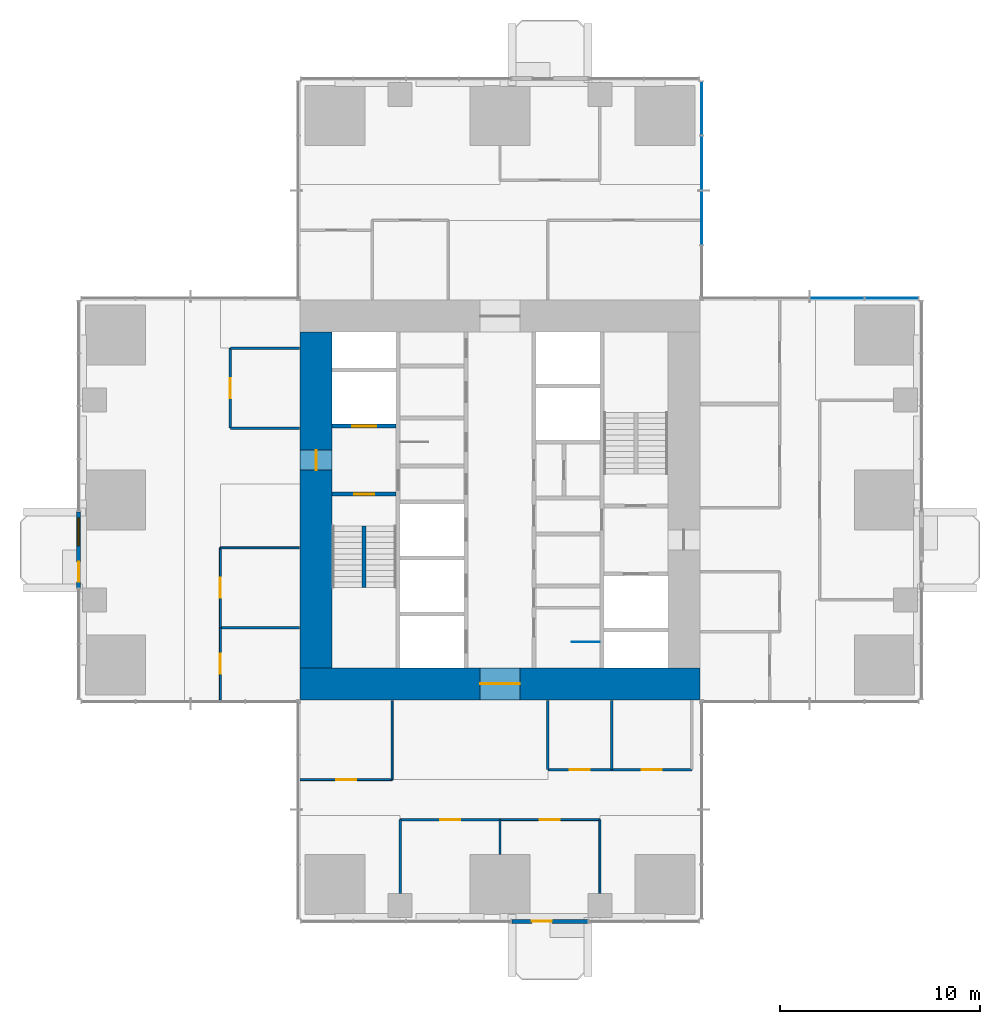
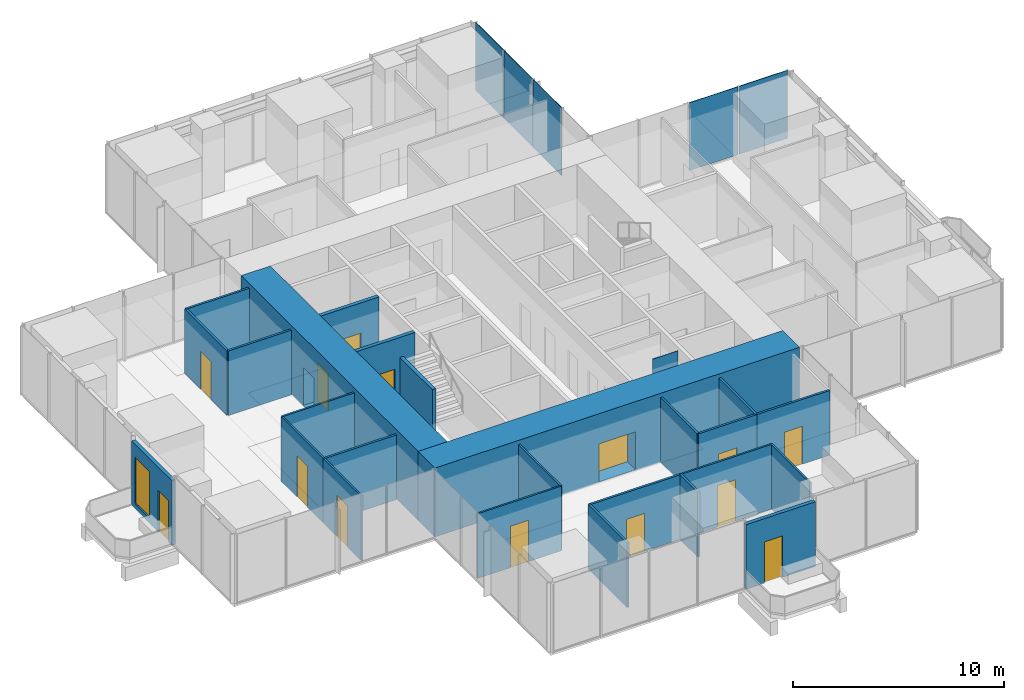
# One storey, part 8 of 13: 26 walls, 14 doors, 5 plates, 1 window, 15 openings, 2 elements without a shape of their own.
"""IFC4 building model written with IfcOpenShell, lengths in metres."""

from ifc_helpers import new_model, si_unit, direction, frame, frame_2d, origin, origin_2d, place, context, subcontext, project, spatial, rectangle, extrude, material, layer, layer_set, type_object, element, fill, aggregate, save


model = new_model("IFC4")

# Units and contexts
model_context = context("Model", 3, precision=1e-05, world=origin(), true_north=direction((0.0, 1.0)))
body_context = subcontext(model_context, "Body", "Model", "MODEL_VIEW")
ifc_project = project(units=[si_unit("LENGTHUNIT", "METRE"), si_unit("AREAUNIT", "SQUARE_METRE"), si_unit("VOLUMEUNIT", "CUBIC_METRE"), si_unit("PLANEANGLEUNIT", "RADIAN"), si_unit("MASSUNIT", "GRAM", prefix="KILO")], contexts=[model_context])

# Site, building, storey
site_placement = place(None, origin())
site = spatial("IfcSite", under=ifc_project, at=site_placement, CompositionType="ELEMENT")
building_placement = place(site_placement, origin())
building = spatial("IfcBuilding", under=site, at=building_placement, Name="Svetlomir Tower", CompositionType="ELEMENT")
storey_placement = place(building_placement, frame((0.0, 0.0, 120.5)))
storey = spatial("IfcBuildingStorey", under=building, at=storey_placement, Name="L28", CompositionType="ELEMENT", Elevation=120.5)

# Curtain wall, plates
ifc_material_1 = material(Name="Bronze anodised aluminium curtain wall", Category="aluminium")
curtain_wall_type = type_object("IfcCurtainWallType", Name="CURTAIN WALL CW1 TOWER OFFICE", PredefinedType="NOTDEFINED", material=ifc_material_1)
curtain_wall_1_placement = place(storey_placement, origin())
curtain_wall_1 = element("IfcCurtainWall", 1, at=curtain_wall_1_placement, inside=storey, type_object=curtain_wall_type, Name="Curtain wall CW1 L28", PredefinedType="NOTDEFINED")
ifc_material_2 = material(Name="Tinted double glazed unit", Category="glass")
ifc_layer_1 = layer(ifc_material_2, 0.031982421875)
ifc_layer_set_1 = layer_set([ifc_layer_1], Name="Tinted double glazed unit")
plate_type = type_object("IfcPlateType", Name="CW1 GLAZED PANEL 32", PredefinedType="CURTAIN_PANEL", material=ifc_layer_set_1)
plate_1_placement = place(storey_placement, frame((40.608642578125, 31.10009765625, 0.06494140625), z_axis=(0.0, 0.0, 1.0), x_axis=(-1.0, 0.0, 0.0)))
plate_1 = element("IfcPlate", 2, at=plate_1_placement, type_object=plate_type, Name="CW1 panel 1.1", PredefinedType="CURTAIN_PANEL", context=body_context, shape_type="SweptSolid", body=[
    extrude(rectangle(XDim=2.652587890625, YDim=0.031982421875, at=origin_2d()), origin(), (0.0, 0.0, 1.0), 3.93505859375),
])
plate_2_placement = place(storey_placement, frame((37.875, 31.10009765625, 0.06494140625), z_axis=(0.0, 0.0, 1.0), x_axis=(-1.0, 0.0, 0.0)))
plate_2 = element("IfcPlate", 3, at=plate_2_placement, type_object=plate_type, Name="CW1 panel 2.1", PredefinedType="CURTAIN_PANEL", context=body_context, shape_type="SweptSolid", body=[
    extrude(rectangle(XDim=2.68505859375, YDim=0.031982421875, at=origin_2d()), origin(), (0.0, 0.0, 1.0), 3.93505859375),
])
aggregate(curtain_wall_1, [plate_1, plate_2])

curtain_wall_2_placement = place(storey_placement, origin())
curtain_wall_2 = element("IfcCurtainWall", 4, at=curtain_wall_2_placement, inside=storey, type_object=curtain_wall_type, Name="Curtain wall CW1 L28", PredefinedType="NOTDEFINED")
plate_3_placement = place(storey_placement, frame((31.10009765625, 35.125, 0.06494140625), z_axis=(0.0, 0.0, 1.0), x_axis=(0.0, 1.0, 0.0)))
plate_3 = element("IfcPlate", 5, at=plate_3_placement, type_object=plate_type, Name="CW1 panel 2.1", PredefinedType="CURTAIN_PANEL", context=body_context, shape_type="SweptSolid", body=[
    extrude(rectangle(XDim=2.68505859375, YDim=0.031982421875, at=origin_2d()), origin(), (0.0, 0.0, 1.0), 3.93505859375),
])
plate_4_placement = place(storey_placement, frame((31.10009765625, 37.875, 0.06494140625), z_axis=(0.0, 0.0, 1.0), x_axis=(0.0, 1.0, 0.0)))
plate_4 = element("IfcPlate", 6, at=plate_4_placement, type_object=plate_type, Name="CW1 panel 3.1", PredefinedType="CURTAIN_PANEL", context=body_context, shape_type="SweptSolid", body=[
    extrude(rectangle(XDim=2.68505859375, YDim=0.031982421875, at=origin_2d()), origin(), (0.0, 0.0, 1.0), 3.93505859375),
])
plate_5_placement = place(storey_placement, frame((31.10009765625, 40.608642578125, 0.06494140625), z_axis=(0.0, 0.0, 1.0), x_axis=(0.0, 1.0, 0.0)))
plate_5 = element("IfcPlate", 7, at=plate_5_placement, type_object=plate_type, Name="CW1 panel 4.1", PredefinedType="CURTAIN_PANEL", context=body_context, shape_type="SweptSolid", body=[
    extrude(rectangle(XDim=2.652587890625, YDim=0.031982421875, at=origin_2d()), origin(), (0.0, 0.0, 1.0), 3.93505859375),
])
aggregate(curtain_wall_2, [plate_3, plate_4, plate_5])

# Wall, opening, door
ifc_material_3 = material(Name="Bronze anodised aluminium glazed screen", Category="aluminium")
ifc_layer_2 = layer(ifc_material_3, 0.199951171875)
ifc_layer_set_2 = layer_set([ifc_layer_2], Name="Bronze anodised aluminium glazed screen")
wall_type_1 = type_object("IfcWallType", Name="BALCONY SCREEN WALL 200", PredefinedType="USERDEFINED", material=ifc_layer_set_2)
wall_1_placement = place(storey_placement, frame((21.60009765625, -0.10009765625, 0.0), z_axis=(0.0, 0.0, 1.0), x_axis=(1.0, 0.0, 0.0)))
wall_1 = element("IfcWall", 8, at=wall_1_placement, inside=storey, type_object=wall_type_1, Name="Balcony screen S", ObjectType="GLAZED SCREEN", PredefinedType="USERDEFINED", context=body_context, shape_type="SweptSolid", body=[
    extrude(rectangle(XDim=3.7998046875, YDim=0.199951171875, at=frame_2d((1.89990234375, 0.0))), origin(), (0.0, 0.0, 1.0), 3.75),
])
opening_1_placement = place(wall_1_placement, frame((1.0, 0.0, 0.0)))
opening_1 = element("IfcOpeningElement", 9, at=opening_1_placement, cuts=wall_1, Name="Opening BD", PredefinedType="OPENING", context=body_context, shape_type="SweptSolid", body=[
    extrude(rectangle(XDim=1.0, YDim=2.39990234375, at=frame_2d((0.5, 1.199951171875))), frame((0.0, 0.10986328125, 0.0), z_axis=(0.0, -1.0, 0.0), x_axis=(1.0, 0.0, 0.0)), (0.0, 0.0, 1.0), 0.219970703125),
])
ifc_material_4 = material(Name="Bronze anodised aluminium glazed door", Category="aluminium")
door_type_1 = type_object("IfcDoorType", Name="BALCONY DOOR BD 1000x2400", OperationType="SINGLE_SWING_LEFT", PredefinedType="DOOR", material=ifc_material_4)
door_1_placement = place(opening_1_placement, origin())
door_1 = element("IfcDoor", 10, at=door_1_placement, inside=storey, type_object=door_type_1, Name="Balcony screen S door", OperationType="SINGLE_SWING_LEFT", OverallHeight=2.39990234375, OverallWidth=1.0, PredefinedType="DOOR", context=body_context, shape_type="SweptSolid", body=[
    extrude(rectangle(XDim=1.0, YDim=2.39990234375, at=frame_2d((0.5, 1.199951171875))), frame((0.0, 0.02490234375, 0.0), z_axis=(0.0, -1.0, 0.0), x_axis=(1.0, 0.0, 0.0)), (0.0, 0.0, 1.0), 0.050048828125),
])
fill(opening_1, door_1)

# Wall, openings, door, window
wall_2_placement = place(storey_placement, frame((-0.10009765625, 20.39990234375, 0.0), z_axis=(0.0, 0.0, 1.0), x_axis=(0.0, -1.0, 0.0)))
wall_2 = element("IfcWall", 11, at=wall_2_placement, inside=storey, type_object=wall_type_1, Name="Balcony screen W", ObjectType="GLAZED SCREEN", PredefinedType="USERDEFINED", context=body_context, shape_type="SweptSolid", body=[
    extrude(rectangle(XDim=3.7998046875, YDim=0.199951171875, at=frame_2d((1.89990234375, 0.0))), origin(), (0.0, 0.0, 1.0), 3.75),
])
opening_2_placement = place(wall_2_placement, frame((2.5, 0.0, 0.0)))
opening_2 = element("IfcOpeningElement", 12, at=opening_2_placement, cuts=wall_2, Name="Opening BD", PredefinedType="OPENING", context=body_context, shape_type="SweptSolid", body=[
    extrude(rectangle(XDim=1.0, YDim=2.39990234375, at=frame_2d((0.5, 1.199951171875))), frame((0.0, 0.10986328125, 0.0), z_axis=(0.0, -1.0, 0.0), x_axis=(1.0, 0.0, 0.0)), (0.0, 0.0, 1.0), 0.219970703125),
])
opening_3_placement = place(wall_2_placement, frame((0.300048828125, 0.0, 0.300048828125)))
opening_3 = element("IfcOpeningElement", 13, at=opening_3_placement, cuts=wall_2, Name="Opening WS2", PredefinedType="OPENING", context=body_context, shape_type="SweptSolid", body=[
    extrude(rectangle(XDim=1.39990234375, YDim=2.699951171875, at=frame_2d((0.699951171875, 1.35009765625))), frame((0.0, 0.10986328125, 0.0), z_axis=(0.0, -1.0, 0.0), x_axis=(1.0, 0.0, 0.0)), (0.0, 0.0, 1.0), 0.219970703125),
])
door_2_placement = place(opening_2_placement, origin())
door_2 = element("IfcDoor", 14, at=door_2_placement, inside=storey, type_object=door_type_1, Name="Balcony screen W door", OperationType="SINGLE_SWING_LEFT", OverallHeight=2.39990234375, OverallWidth=1.0, PredefinedType="DOOR", context=body_context, shape_type="SweptSolid", body=[
    extrude(rectangle(XDim=1.0, YDim=2.39990234375, at=frame_2d((0.5, 1.199951171875))), frame((0.0, 0.02490234375, 0.0), z_axis=(0.0, -1.0, 0.0), x_axis=(1.0, 0.0, 0.0)), (0.0, 0.0, 1.0), 0.050048828125),
])
fill(opening_2, door_2)
ifc_material_5 = material(Name="Bronze anodised aluminium window", Category="aluminium")
window_type = type_object("IfcWindowType", Name="SCREEN WINDOW WS2 1400x2700", PartitioningType="SINGLE_PANEL", PredefinedType="WINDOW", material=ifc_material_5)
window_placement = place(opening_3_placement, origin())
window = element("IfcWindow", 15, at=window_placement, inside=storey, type_object=window_type, Name="Balcony screen W window 1", OverallHeight=2.699951171875, OverallWidth=1.39990234375, PartitioningType="SINGLE_PANEL", PredefinedType="WINDOW", context=body_context, shape_type="SweptSolid", body=[
    extrude(rectangle(XDim=1.39990234375, YDim=2.699951171875, at=frame_2d((0.699951171875, 1.35009765625))), frame((0.0, 0.030029296875, 0.0), z_axis=(0.0, -1.0, 0.0), x_axis=(1.0, 0.0, 0.0)), (0.0, 0.0, 1.0), 0.06005859375),
])
fill(opening_3, window)

# Wall, opening, door
ifc_material_6 = material(Name="Concrete C60/75", Category="concrete")
ifc_layer_3 = layer(ifc_material_6, 0.199951171875)
ifc_layer_set_3 = layer_set([ifc_layer_3], Name="Concrete C60/75")
wall_type_2 = type_object("IfcWallType", Name="CORE INNER WALL 200", PredefinedType="SHEAR", material=ifc_layer_set_3)
wall_3_placement = place(storey_placement, frame((12.60009765625, 21.300048828125, -0.050048828125), z_axis=(0.0, 0.0, 1.0), x_axis=(1.0, 0.0, 0.0)))
wall_3 = element("IfcWall", 16, at=wall_3_placement, inside=storey, type_object=wall_type_2, Name="Core inner wall 12.6-15.8/21.3 L28", PredefinedType="SHEAR", context=body_context, shape_type="SweptSolid", body=[
    extrude(rectangle(XDim=3.199951171875, YDim=0.199951171875, at=frame_2d((1.60009765625, 0.0))), origin(), (0.0, 0.0, 1.0), 4.0),
])
opening_4_placement = place(wall_3_placement, frame((1.10009765625, 0.0, 0.050048828125)))
opening_4 = element("IfcOpeningElement", 17, at=opening_4_placement, cuts=wall_3, Name="Opening DF", PredefinedType="OPENING", context=body_context, shape_type="SweptSolid", body=[
    extrude(rectangle(XDim=1.0, YDim=2.199951171875, at=frame_2d((0.5, 1.10009765625))), frame((0.0, 0.10986328125, 0.0), z_axis=(0.0, -1.0, 0.0), x_axis=(1.0, 0.0, 0.0)), (0.0, 0.0, 1.0), 0.219970703125),
])
ifc_material_7 = material(Name="Steel fire door", Category="steel")
door_type_2 = type_object("IfcDoorType", Name="DOOR DF 1000x2200", OperationType="SINGLE_SWING_LEFT", PredefinedType="DOOR", material=ifc_material_7)
door_3_placement = place(opening_4_placement, origin())
door_3 = element("IfcDoor", 18, at=door_3_placement, inside=storey, type_object=door_type_2, Name="Stair S1 door L28", OperationType="SINGLE_SWING_RIGHT", OverallHeight=2.199951171875, OverallWidth=1.0, PredefinedType="DOOR", context=body_context, shape_type="SweptSolid", body=[
    extrude(rectangle(XDim=1.0, YDim=2.199951171875, at=frame_2d((0.5, 1.10009765625))), frame((0.0, 0.02490234375, 0.0), z_axis=(0.0, -1.0, 0.0), x_axis=(1.0, 0.0, 0.0)), (0.0, 0.0, 1.0), 0.050048828125),
])
fill(opening_4, door_3)

wall_4_placement = place(storey_placement, frame((12.60009765625, 24.699951171875, -0.050048828125), z_axis=(0.0, 0.0, 1.0), x_axis=(1.0, 0.0, 0.0)))
wall_4 = element("IfcWall", 19, at=wall_4_placement, inside=storey, type_object=wall_type_2, Name="Core inner wall 12.6-15.8/24.7 L28", PredefinedType="SHEAR", context=body_context, shape_type="SweptSolid", body=[
    extrude(rectangle(XDim=3.199951171875, YDim=0.199951171875, at=frame_2d((1.60009765625, 0.0))), origin(), (0.0, 0.0, 1.0), 4.0),
])
opening_5_placement = place(wall_4_placement, frame((1.0, 0.0, 0.050048828125)))
opening_5 = element("IfcOpeningElement", 20, at=opening_5_placement, cuts=wall_4, Name="Opening LD3", PredefinedType="OPENING", context=body_context, shape_type="SweptSolid", body=[
    extrude(rectangle(XDim=1.199951171875, YDim=2.199951171875, at=frame_2d((0.60009765625, 1.10009765625))), frame((0.0, 0.10986328125, 0.0), z_axis=(0.0, -1.0, 0.0), x_axis=(1.0, 0.0, 0.0)), (0.0, 0.0, 1.0), 0.219970703125),
])
ifc_material_8 = material(Name="Stainless steel fire-rated landing door", Category="steel")
door_type_3 = type_object("IfcDoorType", Name="FIREFIGHTING LIFT LANDING DOOR LD3 1200x2200", OperationType="DOUBLE_DOOR_SLIDING", PredefinedType="DOOR", material=ifc_material_8)
door_4_placement = place(opening_5_placement, origin())
door_4 = element("IfcDoor", 21, at=door_4_placement, inside=storey, type_object=door_type_3, Name="Landing door lift FL1 L28", OperationType="DOUBLE_DOOR_SLIDING", OverallHeight=2.199951171875, OverallWidth=1.199951171875, PredefinedType="DOOR", context=body_context, shape_type="SweptSolid", body=[
    extrude(rectangle(XDim=1.199951171875, YDim=2.199951171875, at=frame_2d((0.60009765625, 1.10009765625))), frame((0.0, 0.02490234375, 0.0), z_axis=(0.0, -1.0, 0.0), x_axis=(1.0, 0.0, 0.0)), (0.0, 0.0, 1.0), 0.050048828125),
])
fill(opening_5, door_4)

ifc_material_9 = material(Name="Concrete C60/75", Category="concrete")
ifc_layer_4 = layer(ifc_material_9, 1.60009765625)
ifc_layer_set_4 = layer_set([ifc_layer_4], Name="Concrete C60/75")
wall_type_3 = type_object("IfcWallType", Name="CORE WALL 1600", PredefinedType="SHEAR", material=ifc_layer_set_4)
wall_5_placement = place(storey_placement, frame((11.0, 11.800048828125, -0.050048828125), z_axis=(0.0, 0.0, 1.0), x_axis=(1.0, 0.0, 0.0)))
wall_5 = element("IfcWall", 22, at=wall_5_placement, inside=storey, type_object=wall_type_3, Name="Core wall south L28", PredefinedType="SHEAR", context=body_context, shape_type="SweptSolid", body=[
    extrude(rectangle(XDim=20.0, YDim=1.60009765625, at=frame_2d((10.0, 0.0))), origin(), (0.0, 0.0, 1.0), 4.0),
])
opening_6_placement = place(wall_5_placement, frame((9.0, 0.0, 0.050048828125)))
opening_6 = element("IfcOpeningElement", 23, at=opening_6_placement, cuts=wall_5, Name="Opening DL", PredefinedType="OPENING", context=body_context, shape_type="SweptSolid", body=[
    extrude(rectangle(XDim=2.0, YDim=2.199951171875, at=frame_2d((1.0, 1.10009765625))), frame((0.0, 0.81005859375, 0.0), z_axis=(0.0, -1.0, 0.0), x_axis=(1.0, 0.0, 0.0)), (0.0, 0.0, 1.0), 1.6201171875),
])
ifc_material_10 = material(Name="Steel fire door", Category="steel")
door_type_4 = type_object("IfcDoorType", Name="DOOR DL 2000x2200", OperationType="DOUBLE_DOOR_SINGLE_SWING", PredefinedType="DOOR", material=ifc_material_10)
door_5_placement = place(opening_6_placement, origin())
door_5 = element("IfcDoor", 24, at=door_5_placement, inside=storey, type_object=door_type_4, Name="Lift lobby south door L28", OperationType="DOUBLE_DOOR_SINGLE_SWING", OverallHeight=2.199951171875, OverallWidth=2.0, PredefinedType="DOOR", context=body_context, shape_type="SweptSolid", body=[
    extrude(rectangle(XDim=2.0, YDim=2.199951171875, at=frame_2d((1.0, 1.10009765625))), frame((0.0, 0.02490234375, 0.0), z_axis=(0.0, -1.0, 0.0), x_axis=(1.0, 0.0, 0.0)), (0.0, 0.0, 1.0), 0.050048828125),
])
fill(opening_6, door_5)

wall_6_placement = place(storey_placement, frame((11.800048828125, 12.60009765625, -0.050048828125), z_axis=(0.0, 0.0, 1.0), x_axis=(0.0, 1.0, 0.0)))
wall_6 = element("IfcWall", 25, at=wall_6_placement, inside=storey, type_object=wall_type_3, Name="Core wall west L28", PredefinedType="SHEAR", context=body_context, shape_type="SweptSolid", body=[
    extrude(rectangle(XDim=16.7998046875, YDim=1.60009765625, at=frame_2d((8.39990234375, 0.0))), origin(), (0.0, 0.0, 1.0), 4.0),
])
opening_7_placement = place(wall_6_placement, frame((9.89990234375, 0.0, 0.050048828125)))
opening_7 = element("IfcOpeningElement", 26, at=opening_7_placement, cuts=wall_6, Name="Opening DF", PredefinedType="OPENING", context=body_context, shape_type="SweptSolid", body=[
    extrude(rectangle(XDim=1.0, YDim=2.199951171875, at=frame_2d((0.5, 1.10009765625))), frame((0.0, 0.81005859375, 0.0), z_axis=(0.0, -1.0, 0.0), x_axis=(1.0, 0.0, 0.0)), (0.0, 0.0, 1.0), 1.6201171875),
])
door_6_placement = place(opening_7_placement, origin())
door_6 = element("IfcDoor", 27, at=door_6_placement, inside=storey, type_object=door_type_2, Name="Firefighting lobby west door L28", OperationType="SINGLE_SWING_RIGHT", OverallHeight=2.199951171875, OverallWidth=1.0, PredefinedType="DOOR", context=body_context, shape_type="SweptSolid", body=[
    extrude(rectangle(XDim=1.0, YDim=2.199951171875, at=frame_2d((0.5, 1.10009765625))), frame((0.0, 0.02490234375, 0.0), z_axis=(0.0, -1.0, 0.0), x_axis=(1.0, 0.0, 0.0)), (0.0, 0.0, 1.0), 0.050048828125),
])
fill(opening_7, door_6)

ifc_material_11 = material(Name="Framed laminated glass partition", Category="glass")
ifc_layer_5 = layer(ifc_material_11, 0.10009765625)
ifc_layer_set_5 = layer_set([ifc_layer_5], Name="Framed laminated glass partition")
wall_type_4 = type_object("IfcWallType", Name="GLAZED PARTITION 100", PredefinedType="PARTITIONING", material=ifc_layer_set_5)
wall_7_placement = place(storey_placement, frame((7.0, 11.0, 0.0), z_axis=(0.0, 0.0, 1.0), x_axis=(0.0, 1.0, 0.0)))
wall_7 = element("IfcWall", 28, at=wall_7_placement, inside=storey, type_object=wall_type_4, Name="Glazed partition L28", PredefinedType="PARTITIONING", context=body_context, shape_type="SweptSolid", body=[
    extrude(rectangle(XDim=3.60009765625, YDim=0.10009765625, at=frame_2d((1.800048828125, 0.0))), origin(), (0.0, 0.0, 1.0), 3.75),
])
opening_8_placement = place(wall_7_placement, frame((1.300048828125, 0.0, 0.0)))
opening_8 = element("IfcOpeningElement", 29, at=opening_8_placement, cuts=wall_7, Name="Opening DG", PredefinedType="OPENING", context=body_context, shape_type="SweptSolid", body=[
    extrude(rectangle(XDim=1.0, YDim=2.39990234375, at=frame_2d((0.5, 1.199951171875))), frame((0.0, 0.06005859375, 0.0), z_axis=(0.0, -1.0, 0.0), x_axis=(1.0, 0.0, 0.0)), (0.0, 0.0, 1.0), 0.1201171875),
])
ifc_material_12 = material(Name="Framed laminated glass door", Category="glass")
door_type_5 = type_object("IfcDoorType", Name="GLAZED DOOR DG 1000x2400", OperationType="SINGLE_SWING_LEFT", PredefinedType="DOOR", material=ifc_material_12)
door_7_placement = place(opening_8_placement, origin())
door_7 = element("IfcDoor", 30, at=door_7_placement, inside=storey, type_object=door_type_5, Name="Deal room, 4 seats door L28", OperationType="SINGLE_SWING_RIGHT", OverallHeight=2.39990234375, OverallWidth=1.0, PredefinedType="DOOR", context=body_context, shape_type="SweptSolid", body=[
    extrude(rectangle(XDim=1.0, YDim=2.39990234375, at=frame_2d((0.5, 1.199951171875))), frame((0.0, 0.02490234375, 0.0), z_axis=(0.0, -1.0, 0.0), x_axis=(1.0, 0.0, 0.0)), (0.0, 0.0, 1.0), 0.050048828125),
])
fill(opening_8, door_7)

wall_8_placement = place(storey_placement, frame((7.0, 14.60009765625, 0.0), z_axis=(0.0, 0.0, 1.0), x_axis=(0.0, 1.0, 0.0)))
wall_8 = element("IfcWall", 31, at=wall_8_placement, inside=storey, type_object=wall_type_4, Name="Glazed partition L28", PredefinedType="PARTITIONING", context=body_context, shape_type="SweptSolid", body=[
    extrude(rectangle(XDim=4.0, YDim=0.10009765625, at=frame_2d((2.0, 0.0))), origin(), (0.0, 0.0, 1.0), 3.75),
])
opening_9_placement = place(wall_8_placement, frame((1.5, 0.0, 0.0)))
opening_9 = element("IfcOpeningElement", 32, at=opening_9_placement, cuts=wall_8, Name="Opening DG", PredefinedType="OPENING", context=body_context, shape_type="SweptSolid", body=[
    extrude(rectangle(XDim=1.0, YDim=2.39990234375, at=frame_2d((0.5, 1.199951171875))), frame((0.0, 0.06005859375, 0.0), z_axis=(0.0, -1.0, 0.0), x_axis=(1.0, 0.0, 0.0)), (0.0, 0.0, 1.0), 0.1201171875),
])
door_8_placement = place(opening_9_placement, origin())
door_8 = element("IfcDoor", 33, at=door_8_placement, inside=storey, type_object=door_type_5, Name="Phone rooms door L28", OperationType="SINGLE_SWING_RIGHT", OverallHeight=2.39990234375, OverallWidth=1.0, PredefinedType="DOOR", context=body_context, shape_type="SweptSolid", body=[
    extrude(rectangle(XDim=1.0, YDim=2.39990234375, at=frame_2d((0.5, 1.199951171875))), frame((0.0, 0.02490234375, 0.0), z_axis=(0.0, -1.0, 0.0), x_axis=(1.0, 0.0, 0.0)), (0.0, 0.0, 1.0), 0.050048828125),
])
fill(opening_9, door_8)

# Wall
wall_9_placement = place(storey_placement, frame((7.0, 18.60009765625, 0.0), z_axis=(0.0, 0.0, 1.0), x_axis=(1.0, 0.0, 0.0)))
element("IfcWall", 34, at=wall_9_placement, inside=storey, type_object=wall_type_4, Name="Glazed partition L28", PredefinedType="PARTITIONING", context=body_context, shape_type="SweptSolid", body=[
    extrude(rectangle(XDim=3.949951171875, YDim=0.10009765625, at=frame_2d((1.97509765625, 0.0))), origin(), (0.0, 0.0, 1.0), 3.75),
])

# Wall, opening, door
wall_10_placement = place(storey_placement, frame((11.0, 7.0, 0.0), z_axis=(0.0, 0.0, 1.0), x_axis=(1.0, 0.0, 0.0)))
wall_10 = element("IfcWall", 35, at=wall_10_placement, inside=storey, type_object=wall_type_4, Name="Glazed partition L28", PredefinedType="PARTITIONING", context=body_context, shape_type="SweptSolid", body=[
    extrude(rectangle(XDim=4.60009765625, YDim=0.10009765625, at=frame_2d((2.300048828125, 0.0))), origin(), (0.0, 0.0, 1.0), 3.75),
])
opening_10_placement = place(wall_10_placement, frame((1.800048828125, 0.0, 0.0)))
opening_10 = element("IfcOpeningElement", 36, at=opening_10_placement, cuts=wall_10, Name="Opening DG", PredefinedType="OPENING", context=body_context, shape_type="SweptSolid", body=[
    extrude(rectangle(XDim=1.0, YDim=2.39990234375, at=frame_2d((0.5, 1.199951171875))), frame((0.0, 0.06005859375, 0.0), z_axis=(0.0, -1.0, 0.0), x_axis=(1.0, 0.0, 0.0)), (0.0, 0.0, 1.0), 0.1201171875),
])
door_9_placement = place(opening_10_placement, origin())
door_9 = element("IfcDoor", 37, at=door_9_placement, inside=storey, type_object=door_type_5, Name="Analysts' quiet room door L28", OperationType="SINGLE_SWING_RIGHT", OverallHeight=2.39990234375, OverallWidth=1.0, PredefinedType="DOOR", context=body_context, shape_type="SweptSolid", body=[
    extrude(rectangle(XDim=1.0, YDim=2.39990234375, at=frame_2d((0.5, 1.199951171875))), frame((0.0, 0.02490234375, 0.0), z_axis=(0.0, -1.0, 0.0), x_axis=(1.0, 0.0, 0.0)), (0.0, 0.0, 1.0), 0.050048828125),
])
fill(opening_10, door_9)

# Wall
wall_11_placement = place(storey_placement, frame((15.60009765625, 7.0, 0.0), z_axis=(0.0, 0.0, 1.0), x_axis=(0.0, 1.0, 0.0)))
element("IfcWall", 38, at=wall_11_placement, inside=storey, type_object=wall_type_4, Name="Glazed partition L28", PredefinedType="PARTITIONING", context=body_context, shape_type="SweptSolid", body=[
    extrude(rectangle(XDim=3.949951171875, YDim=0.10009765625, at=frame_2d((1.97509765625, 0.0))), origin(), (0.0, 0.0, 1.0), 3.75),
])

# Wall, opening, door
wall_12_placement = place(storey_placement, frame((21.0, 5.0, 0.0), z_axis=(0.0, 0.0, 1.0), x_axis=(1.0, 0.0, 0.0)))
wall_12 = element("IfcWall", 39, at=wall_12_placement, inside=storey, type_object=wall_type_4, Name="Glazed partition L28", PredefinedType="PARTITIONING", context=body_context, shape_type="SweptSolid", body=[
    extrude(rectangle(XDim=5.0, YDim=0.10009765625, at=frame_2d((2.5, 0.0))), origin(), (0.0, 0.0, 1.0), 3.75),
])
opening_11_placement = place(wall_12_placement, frame((2.0, 0.0, 0.0)))
opening_11 = element("IfcOpeningElement", 40, at=opening_11_placement, cuts=wall_12, Name="Opening DG", PredefinedType="OPENING", context=body_context, shape_type="SweptSolid", body=[
    extrude(rectangle(XDim=1.0, YDim=2.39990234375, at=frame_2d((0.5, 1.199951171875))), frame((0.0, 0.06005859375, 0.0), z_axis=(0.0, -1.0, 0.0), x_axis=(1.0, 0.0, 0.0)), (0.0, 0.0, 1.0), 0.1201171875),
])
door_10_placement = place(opening_11_placement, origin())
door_10 = element("IfcDoor", 41, at=door_10_placement, inside=storey, type_object=door_type_5, Name="Break-out and kitchenette door L28", OperationType="SINGLE_SWING_RIGHT", OverallHeight=2.39990234375, OverallWidth=1.0, PredefinedType="DOOR", context=body_context, shape_type="SweptSolid", body=[
    extrude(rectangle(XDim=1.0, YDim=2.39990234375, at=frame_2d((0.5, 1.199951171875))), frame((0.0, 0.02490234375, 0.0), z_axis=(0.0, -1.0, 0.0), x_axis=(1.0, 0.0, 0.0)), (0.0, 0.0, 1.0), 0.050048828125),
])
fill(opening_11, door_10)

# Walls
wall_13_placement = place(storey_placement, frame((26.0, 1.31005859375, 0.0), z_axis=(0.0, 0.0, 1.0), x_axis=(0.0, 1.0, 0.0)))
element("IfcWall", 42, at=wall_13_placement, inside=storey, type_object=wall_type_4, Name="Glazed partition L28", PredefinedType="PARTITIONING", context=body_context, shape_type="SweptSolid", body=[
    extrude(rectangle(XDim=3.68994140625, YDim=0.10009765625, at=frame_2d((1.844970703125, 0.0))), origin(), (0.0, 0.0, 1.0), 3.75),
])
ifc_material_13 = material(Name="Gypsum board on steel studs", Category="steel")
ifc_layer_6 = layer(ifc_material_13, 0.1201171875)
ifc_layer_set_6 = layer_set([ifc_layer_6], Name="Gypsum board on steel studs")
wall_type_5 = type_object("IfcWallType", Name="PARTITION 120", PredefinedType="PARTITIONING", material=ifc_layer_set_6)
wall_14_placement = place(storey_placement, frame((7.0, 14.60009765625, 0.0), z_axis=(0.0, 0.0, 1.0), x_axis=(1.0, 0.0, 0.0)))
element("IfcWall", 43, at=wall_14_placement, inside=storey, type_object=wall_type_5, Name="Partition L28", PredefinedType="PARTITIONING", context=body_context, shape_type="SweptSolid", body=[
    extrude(rectangle(XDim=3.949951171875, YDim=0.1201171875, at=frame_2d((1.97509765625, 0.0))), origin(), (0.0, 0.0, 1.0), 3.75),
])

# Wall, opening, door
wall_15_placement = place(storey_placement, frame((7.5, 24.60009765625, 0.0), z_axis=(0.0, 0.0, 1.0), x_axis=(0.0, 1.0, 0.0)))
wall_15 = element("IfcWall", 44, at=wall_15_placement, inside=storey, type_object=wall_type_5, Name="Partition L28", PredefinedType="PARTITIONING", context=body_context, shape_type="SweptSolid", body=[
    extrude(rectangle(XDim=4.0, YDim=0.1201171875, at=frame_2d((2.0, 0.0))), origin(), (0.0, 0.0, 1.0), 3.75),
])
opening_12_placement = place(wall_15_placement, frame((1.5, 0.0, 0.0)))
opening_12 = element("IfcOpeningElement", 45, at=opening_12_placement, cuts=wall_15, Name="Opening DR", PredefinedType="OPENING", context=body_context, shape_type="SweptSolid", body=[
    extrude(rectangle(XDim=1.0, YDim=2.199951171875, at=frame_2d((0.5, 1.10009765625))), frame((0.0, 0.070068359375, 0.0), z_axis=(0.0, -1.0, 0.0), x_axis=(1.0, 0.0, 0.0)), (0.0, 0.0, 1.0), 0.14013671875),
])
ifc_material_14 = material(Name="Timber door, glazed side light", Category="wood")
door_type_6 = type_object("IfcDoorType", Name="DOOR DR 1000x2200", OperationType="SINGLE_SWING_LEFT", PredefinedType="DOOR", material=ifc_material_14)
door_11_placement = place(opening_12_placement, origin())
door_11 = element("IfcDoor", 46, at=door_11_placement, inside=storey, type_object=door_type_6, Name="Secure print room door L28", OperationType="SINGLE_SWING_LEFT", OverallHeight=2.199951171875, OverallWidth=1.0, PredefinedType="DOOR", context=body_context, shape_type="SweptSolid", body=[
    extrude(rectangle(XDim=1.0, YDim=2.199951171875, at=frame_2d((0.5, 1.10009765625))), frame((0.0, 0.02490234375, 0.0), z_axis=(0.0, -1.0, 0.0), x_axis=(1.0, 0.0, 0.0)), (0.0, 0.0, 1.0), 0.050048828125),
])
fill(opening_12, door_11)

# Walls
for number, where, z_axis, x_axis, name in (
    (47, (7.5, 24.60009765625, 0.0), (0.0, 0.0, 1.0), (1.0, 0.0, 0.0), "Partition L28"),
    (48, (7.5, 28.60009765625, 0.0), (0.0, 0.0, 1.0), (1.0, 0.0, 0.0), "Partition L28"),
):
    element("IfcWall", number, at=place(storey_placement, frame(where, z_axis=z_axis, x_axis=x_axis)), inside=storey, type_object=wall_type_5, Name=name, PredefinedType="PARTITIONING", context=body_context, shape_type="SweptSolid", body=[
        extrude(rectangle(XDim=3.449951171875, YDim=0.1201171875, at=frame_2d((1.72509765625, 0.0))), origin(), (0.0, 0.0, 1.0), 3.75),
    ])
wall_16_placement = place(storey_placement, frame((16.0, 1.31005859375, 0.0), z_axis=(0.0, 0.0, 1.0), x_axis=(0.0, 1.0, 0.0)))
element("IfcWall", 49, at=wall_16_placement, inside=storey, type_object=wall_type_5, Name="Partition L28", PredefinedType="PARTITIONING", context=body_context, shape_type="SweptSolid", body=[
    extrude(rectangle(XDim=3.68994140625, YDim=0.1201171875, at=frame_2d((1.844970703125, 0.0))), origin(), (0.0, 0.0, 1.0), 3.75),
])

# Wall, opening, door
wall_17_placement = place(storey_placement, frame((16.0, 5.0, 0.0), z_axis=(0.0, 0.0, 1.0), x_axis=(1.0, 0.0, 0.0)))
wall_17 = element("IfcWall", 50, at=wall_17_placement, inside=storey, type_object=wall_type_5, Name="Partition L28", PredefinedType="PARTITIONING", context=body_context, shape_type="SweptSolid", body=[
    extrude(rectangle(XDim=5.0, YDim=0.1201171875, at=frame_2d((2.5, 0.0))), origin(), (0.0, 0.0, 1.0), 3.75),
])
opening_13_placement = place(wall_17_placement, frame((2.0, 0.0, 0.0)))
opening_13 = element("IfcOpeningElement", 51, at=opening_13_placement, cuts=wall_17, Name="Opening DR", PredefinedType="OPENING", context=body_context, shape_type="SweptSolid", body=[
    extrude(rectangle(XDim=1.0, YDim=2.199951171875, at=frame_2d((0.5, 1.10009765625))), frame((0.0, 0.070068359375, 0.0), z_axis=(0.0, -1.0, 0.0), x_axis=(1.0, 0.0, 0.0)), (0.0, 0.0, 1.0), 0.14013671875),
])
door_12_placement = place(opening_13_placement, origin())
door_12 = element("IfcDoor", 52, at=door_12_placement, inside=storey, type_object=door_type_6, Name="Head of M&A office door L28", OperationType="SINGLE_SWING_RIGHT", OverallHeight=2.199951171875, OverallWidth=1.0, PredefinedType="DOOR", context=body_context, shape_type="SweptSolid", body=[
    extrude(rectangle(XDim=1.0, YDim=2.199951171875, at=frame_2d((0.5, 1.10009765625))), frame((0.0, 0.02490234375, 0.0), z_axis=(0.0, -1.0, 0.0), x_axis=(1.0, 0.0, 0.0)), (0.0, 0.0, 1.0), 0.050048828125),
])
fill(opening_13, door_12)

# Walls
wall_18_placement = place(storey_placement, frame((21.0, 3.260009765625, 0.0), z_axis=(0.0, 0.0, 1.0), x_axis=(0.0, 1.0, 0.0)))
element("IfcWall", 53, at=wall_18_placement, inside=storey, type_object=wall_type_5, Name="Partition L28", PredefinedType="PARTITIONING", context=body_context, shape_type="SweptSolid", body=[
    extrude(rectangle(XDim=1.739990234375, YDim=0.1201171875, at=frame_2d((0.8701171875, 0.0))), origin(), (0.0, 0.0, 1.0), 3.75),
])
wall_19_placement = place(storey_placement, frame((23.39990234375, 7.5, 0.0), z_axis=(0.0, 0.0, 1.0), x_axis=(0.0, 1.0, 0.0)))
element("IfcWall", 54, at=wall_19_placement, inside=storey, type_object=wall_type_5, Name="Partition L28", PredefinedType="PARTITIONING", context=body_context, shape_type="SweptSolid", body=[
    extrude(rectangle(XDim=3.449951171875, YDim=0.1201171875, at=frame_2d((1.72509765625, 0.0))), origin(), (0.0, 0.0, 1.0), 3.75),
])

# Wall, opening, door
wall_20_placement = place(storey_placement, frame((23.39990234375, 7.5, 0.0), z_axis=(0.0, 0.0, 1.0), x_axis=(1.0, 0.0, 0.0)))
wall_20 = element("IfcWall", 55, at=wall_20_placement, inside=storey, type_object=wall_type_5, Name="Partition L28", PredefinedType="PARTITIONING", context=body_context, shape_type="SweptSolid", body=[
    extrude(rectangle(XDim=3.2001953125, YDim=0.1201171875, at=frame_2d((1.60009765625, 0.0))), origin(), (0.0, 0.0, 1.0), 3.75),
])
opening_14_placement = place(wall_20_placement, frame((1.10009765625, 0.0, 0.0)))
opening_14 = element("IfcOpeningElement", 56, at=opening_14_placement, cuts=wall_20, Name="Opening DR", PredefinedType="OPENING", context=body_context, shape_type="SweptSolid", body=[
    extrude(rectangle(XDim=1.0, YDim=2.199951171875, at=frame_2d((0.5, 1.10009765625))), frame((0.0, 0.070068359375, 0.0), z_axis=(0.0, -1.0, 0.0), x_axis=(1.0, 0.0, 0.0)), (0.0, 0.0, 1.0), 0.14013671875),
])
door_13_placement = place(opening_14_placement, origin())
door_13 = element("IfcDoor", 57, at=door_13_placement, inside=storey, type_object=door_type_6, Name="Print and copy room door L28", OperationType="SINGLE_SWING_RIGHT", OverallHeight=2.199951171875, OverallWidth=1.0, PredefinedType="DOOR", context=body_context, shape_type="SweptSolid", body=[
    extrude(rectangle(XDim=1.0, YDim=2.199951171875, at=frame_2d((0.5, 1.10009765625))), frame((0.0, 0.02490234375, 0.0), z_axis=(0.0, -1.0, 0.0), x_axis=(1.0, 0.0, 0.0)), (0.0, 0.0, 1.0), 0.050048828125),
])
fill(opening_14, door_13)

# Wall
wall_21_placement = place(storey_placement, frame((26.60009765625, 7.5, 0.0), z_axis=(0.0, 0.0, 1.0), x_axis=(0.0, 1.0, 0.0)))
element("IfcWall", 58, at=wall_21_placement, inside=storey, type_object=wall_type_5, Name="Partition L28", PredefinedType="PARTITIONING", context=body_context, shape_type="SweptSolid", body=[
    extrude(rectangle(XDim=3.449951171875, YDim=0.1201171875, at=frame_2d((1.72509765625, 0.0))), origin(), (0.0, 0.0, 1.0), 3.75),
])

# Wall, opening, door
wall_22_placement = place(storey_placement, frame((26.60009765625, 7.5, 0.0), z_axis=(0.0, 0.0, 1.0), x_axis=(1.0, 0.0, 0.0)))
wall_22 = element("IfcWall", 59, at=wall_22_placement, inside=storey, type_object=wall_type_5, Name="Partition L28", PredefinedType="PARTITIONING", context=body_context, shape_type="SweptSolid", body=[
    extrude(rectangle(XDim=4.0, YDim=0.1201171875, at=frame_2d((2.0, 0.0))), origin(), (0.0, 0.0, 1.0), 3.75),
])
opening_15_placement = place(wall_22_placement, frame((1.5, 0.0, 0.0)))
opening_15 = element("IfcOpeningElement", 60, at=opening_15_placement, cuts=wall_22, Name="Opening DR", PredefinedType="OPENING", context=body_context, shape_type="SweptSolid", body=[
    extrude(rectangle(XDim=1.0, YDim=2.199951171875, at=frame_2d((0.5, 1.10009765625))), frame((0.0, 0.070068359375, 0.0), z_axis=(0.0, -1.0, 0.0), x_axis=(1.0, 0.0, 0.0)), (0.0, 0.0, 1.0), 0.14013671875),
])
door_14_placement = place(opening_15_placement, origin())
door_14 = element("IfcDoor", 61, at=door_14_placement, inside=storey, type_object=door_type_6, Name="File store door L28", OperationType="SINGLE_SWING_LEFT", OverallHeight=2.199951171875, OverallWidth=1.0, PredefinedType="DOOR", context=body_context, shape_type="SweptSolid", body=[
    extrude(rectangle(XDim=1.0, YDim=2.199951171875, at=frame_2d((0.5, 1.10009765625))), frame((0.0, 0.02490234375, 0.0), z_axis=(0.0, -1.0, 0.0), x_axis=(1.0, 0.0, 0.0)), (0.0, 0.0, 1.0), 0.050048828125),
])
fill(opening_15, door_14)

# Walls
ifc_material_15 = material(Name="Concrete C60/75", Category="concrete")
ifc_layer_7 = layer(ifc_material_15, 0.199951171875)
ifc_layer_set_7 = layer_set([ifc_layer_7], Name="Concrete C60/75")
wall_type_6 = type_object("IfcWallType", Name="STAIR SPINE WALL 200", PredefinedType="PARTITIONING", material=ifc_layer_set_7)
wall_23_placement = place(storey_placement, frame((14.199951171875, 16.6201171875, 0.0), z_axis=(0.0, 0.0, 1.0), x_axis=(0.0, 1.0, 0.0)))
element("IfcWall", 62, at=wall_23_placement, inside=storey, type_object=wall_type_6, Name="Stair S1 spine wall L28", PredefinedType="PARTITIONING", context=body_context, shape_type="SweptSolid", body=[
    extrude(rectangle(XDim=3.079833984375, YDim=0.199951171875, at=frame_2d((1.5400390625, 0.0))), origin(), (0.0, 0.0, 1.0), 4.0),
])
ifc_material_16 = material(Name="Compact laminate panel", Category="plastic")
ifc_layer_8 = layer(ifc_material_16, 0.030029296875)
ifc_layer_set_8 = layer_set([ifc_layer_8], Name="Compact laminate panel")
wall_type_7 = type_object("IfcWallType", Name="WC CUBICLE PARTITION 30", PredefinedType="PARTITIONING", material=ifc_layer_set_8)
wall_24_placement = place(storey_placement, frame((24.60009765625, 13.89990234375, 0.0), z_axis=(0.0, 0.0, 1.0), x_axis=(1.0, 0.0, 0.0)))
element("IfcWall", 63, at=wall_24_placement, inside=storey, type_object=wall_type_7, Name="WC cubicle partition L28", PredefinedType="PARTITIONING", context=body_context, shape_type="SweptSolid", body=[
    extrude(rectangle(XDim=1.39990234375, YDim=0.030029296875, at=frame_2d((0.699951171875, 0.0))), origin(), (0.0, 0.0, 1.0), 3.75),
])

save(model, "model.ifc")
